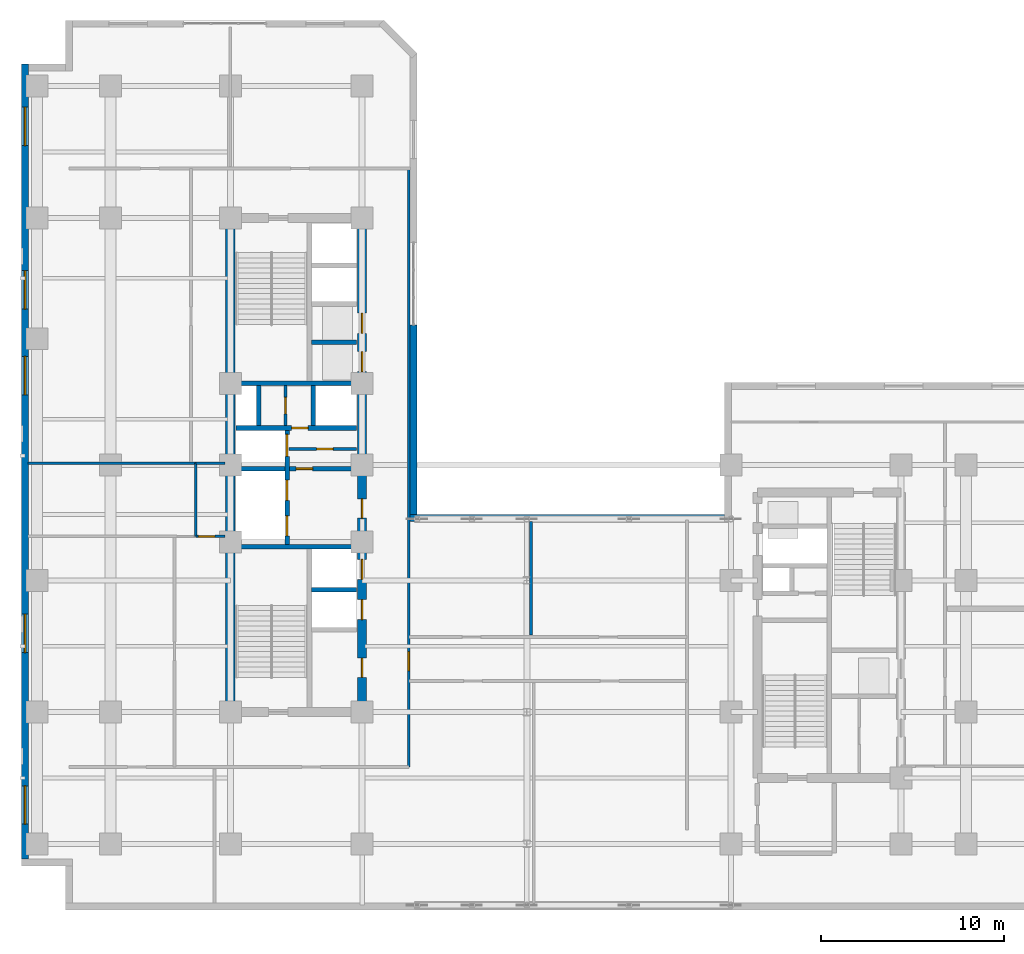
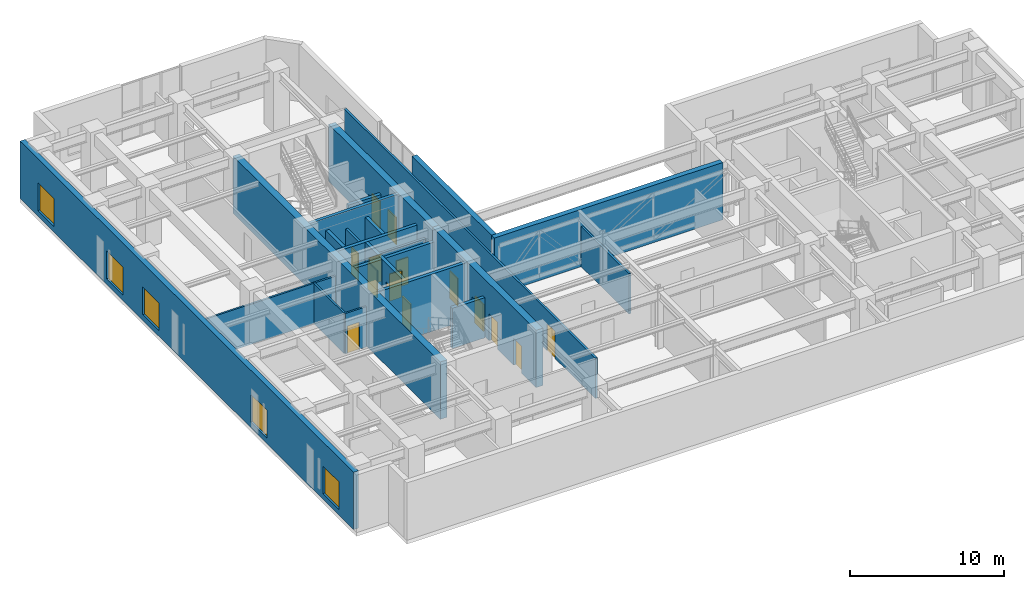
# One storey, part 12 of 18: 23 walls, 15 doors, 5 windows, 20 openings.
"""IFC4 building model written with IfcOpenShell, lengths in metres."""

from ifc_helpers import new_model, entity, si_unit, converted_unit, direction, frame, origin_with_axes, origin_2d_with_axis, place, context, subcontext, project, spatial, polyline, rectangle, outline, extrude, material, layer, layer_set, type_object, element, fill, save


model = new_model("IFC4")

# Units and contexts
model_context = context("Model", 3, precision=1e-05, world=origin_with_axes(), true_north=direction((0.0, 1.0)))
body_context = subcontext(model_context, "Body", "Model", "MODEL_VIEW")
ifc_project = project(units=[si_unit("LENGTHUNIT", "METRE"), si_unit("AREAUNIT", "SQUARE_METRE"), si_unit("VOLUMEUNIT", "CUBIC_METRE"), converted_unit("PLANEANGLEUNIT", "DEGREE", entity("IfcPlaneAngleMeasure", 0.017453292519943295), si_unit("PLANEANGLEUNIT", "RADIAN"), dimensions=[0, 0, 0, 0, 0, 0, 0]), si_unit("MASSUNIT", "GRAM", prefix="KILO"), si_unit("THERMODYNAMICTEMPERATUREUNIT", "KELVIN")], contexts=[model_context])

# Site, building, storey
site_placement = place(None, origin_with_axes())
site = spatial("IfcSite", under=ifc_project, at=site_placement, CompositionType="ELEMENT")
building_placement = place(site_placement, origin_with_axes())
building = spatial("IfcBuilding", under=site, at=building_placement, Name="Varnlund Millrace Tower", CompositionType="ELEMENT")
storey_placement = place(building_placement, frame((0.0, 0.0, 124.2), z_axis=(0.0, 0.0, 1.0), x_axis=(1.0, 0.0, 0.0)))
storey = spatial("IfcBuildingStorey", under=building, at=storey_placement, Name="L30", CompositionType="ELEMENT", Elevation=124.2)

# Wall
ifc_material_1 = material(Name="Concrete C70/85", Category="concrete")
ifc_layer_1 = layer(ifc_material_1, 0.5, Name="Concrete C70/85")
ifc_layer_set_1 = layer_set([ifc_layer_1], Name="Concrete C70/85")
wall_type_1 = type_object("IfcWallType", Name="Type-CoreWall-Shear-500-C70", PredefinedType="SHEAR", material=ifc_layer_set_1)
wall_1_placement = place(storey_placement, frame((11.4, 10.8, 0.0), z_axis=(0.0, 0.0, 1.0), x_axis=(0.0, 1.0, 0.0)))
element("IfcWall", 1, at=wall_1_placement, inside=storey, type_object=wall_type_1, Name="Type-CoreWall-Shear-500-C70", PredefinedType="SHEAR", context=body_context, shape_type="SweptSolid", body=[
    extrude(outline(polyline([(0.0, -0.25), (27.0, -0.25), (27.0, 0.25), (0.0, 0.25), (0.0, -0.25)])), origin_with_axes(), (0.0, 0.0, 1.0), 4.56),
])

# Wall, openings, doors
wall_2_placement = place(storey_placement, frame((18.6, 10.8, 0.0), z_axis=(0.0, 0.0, 1.0), x_axis=(0.0, 1.0, 0.0)))
wall_2 = element("IfcWall", 2, at=wall_2_placement, inside=storey, type_object=wall_type_1, Name="Type-CoreWall-Shear-500-C70", PredefinedType="SHEAR", context=body_context, shape_type="SweptSolid", body=[
    extrude(outline(polyline([(0.0, -0.25), (13.5, -0.25), (13.5, 0.25), (0.0, 0.25), (0.0, -0.25)])), origin_with_axes(), (0.0, 0.0, 1.0), 4.56),
])
opening_1_placement = place(wall_2_placement, frame((5.6, 0.0, 0.0), z_axis=(0.0, 0.0, 1.0), x_axis=(1.0, 0.0, 0.0)))
opening_1 = element("IfcOpeningElement", 3, at=opening_1_placement, cuts=wall_2, Name="Opening L30:LD-ELV-S1A", PredefinedType="OPENING", context=body_context, shape_type="SweptSolid", body=[
    extrude(rectangle(XDim=1.1, YDim=0.52, at=origin_2d_with_axis()), origin_with_axes(), (0.0, 0.0, 1.0), 2.15),
])
opening_2_placement = place(wall_2_placement, frame((7.8, 0.0, 0.0), z_axis=(0.0, 0.0, 1.0), x_axis=(1.0, 0.0, 0.0)))
opening_2 = element("IfcOpeningElement", 4, at=opening_2_placement, cuts=wall_2, Name="Opening L30:LD-ELV-S1B", PredefinedType="OPENING", context=body_context, shape_type="SweptSolid", body=[
    extrude(rectangle(XDim=1.1, YDim=0.52, at=origin_2d_with_axis()), origin_with_axes(), (0.0, 0.0, 1.0), 2.15),
])
opening_3_placement = place(wall_2_placement, frame((11.125, 0.0, 0.0), z_axis=(0.0, 0.0, 1.0), x_axis=(1.0, 0.0, 0.0)))
opening_3 = element("IfcOpeningElement", 5, at=opening_3_placement, cuts=wall_2, Name="Opening L30:DR-FFLOB-A", PredefinedType="OPENING", context=body_context, shape_type="SweptSolid", body=[
    extrude(rectangle(XDim=1.05, YDim=0.52, at=origin_2d_with_axis()), origin_with_axes(), (0.0, 0.0, 1.0), 2.15),
])
opening_4_placement = place(wall_2_placement, frame((2.425, 0.0, 0.0), z_axis=(0.0, 0.0, 1.0), x_axis=(1.0, 0.0, 0.0)))
opening_4 = element("IfcOpeningElement", 6, at=opening_4_placement, cuts=wall_2, Name="Opening L30:DR-RECL-B1", PredefinedType="OPENING", context=body_context, shape_type="SweptSolid", body=[
    extrude(rectangle(XDim=1.05, YDim=0.52, at=origin_2d_with_axis()), origin_with_axes(), (0.0, 0.0, 1.0), 2.15),
])
ifc_material_2 = material(Name="Smoke-barrier hollow steel fire door", Category="steel")
door_type_1 = type_object("IfcDoorType", Name="Type-FireDoor-Lobby-1050X2150", OperationType="NOTDEFINED", PredefinedType="DOOR", material=ifc_material_2)
door_1_placement = place(wall_2_placement, frame((11.125, 0.0, 0.0), z_axis=(0.0, 0.0, 1.0), x_axis=(1.0, 0.0, 0.0)))
door_1 = element("IfcDoor", 7, at=door_1_placement, inside=storey, type_object=door_type_1, Name="Type-FireDoor-Lobby-1050X2150", OperationType="SINGLE_SWING_LEFT", OverallHeight=2.15, OverallWidth=1.05, PredefinedType="DOOR", context=body_context, shape_type="SweptSolid", body=[
    extrude(rectangle(XDim=1.05, YDim=0.09, at=origin_2d_with_axis()), origin_with_axes(), (0.0, 0.0, 1.0), 2.15),
])
fill(opening_3, door_1)
door_2_placement = place(wall_2_placement, frame((2.425, 0.0, 0.0), z_axis=(0.0, 0.0, 1.0), x_axis=(1.0, 0.0, 0.0)))
door_2 = element("IfcDoor", 8, at=door_2_placement, inside=storey, type_object=door_type_1, Name="Type-FireDoor-Lobby-1050X2150", OperationType="SINGLE_SWING_LEFT", OverallHeight=2.15, OverallWidth=1.05, PredefinedType="DOOR", context=body_context, shape_type="SweptSolid", body=[
    extrude(rectangle(XDim=1.05, YDim=0.09, at=origin_2d_with_axis()), origin_with_axes(), (0.0, 0.0, 1.0), 2.15),
])
fill(opening_4, door_2)
ifc_material_3 = material(Name="Stainless and architectural bronze sliding landing door")
door_type_2 = type_object("IfcDoorType", Name="Type-LiftLandingDoor-1100X2150", OperationType="NOTDEFINED", PredefinedType="DOOR", material=ifc_material_3)
door_3_placement = place(wall_2_placement, frame((5.6, 0.0, 0.0), z_axis=(0.0, 0.0, 1.0), x_axis=(1.0, 0.0, 0.0)))
door_3 = element("IfcDoor", 9, at=door_3_placement, inside=storey, type_object=door_type_2, Name="Type-LiftLandingDoor-1100X2150", OperationType="DOUBLE_DOOR_SLIDING", OverallHeight=2.15, OverallWidth=1.1, PredefinedType="DOOR", context=body_context, shape_type="SweptSolid", body=[
    extrude(rectangle(XDim=1.1, YDim=0.09, at=origin_2d_with_axis()), origin_with_axes(), (0.0, 0.0, 1.0), 2.15),
])
fill(opening_1, door_3)
door_4_placement = place(wall_2_placement, frame((7.8, 0.0, 0.0), z_axis=(0.0, 0.0, 1.0), x_axis=(1.0, 0.0, 0.0)))
door_4 = element("IfcDoor", 10, at=door_4_placement, inside=storey, type_object=door_type_2, Name="Type-LiftLandingDoor-1100X2150", OperationType="DOUBLE_DOOR_SLIDING", OverallHeight=2.15, OverallWidth=1.1, PredefinedType="DOOR", context=body_context, shape_type="SweptSolid", body=[
    extrude(rectangle(XDim=1.1, YDim=0.09, at=origin_2d_with_axis()), origin_with_axes(), (0.0, 0.0, 1.0), 2.15),
])
fill(opening_2, door_4)

wall_3_placement = place(storey_placement, frame((18.6, 24.3, 0.0), z_axis=(0.0, 0.0, 1.0), x_axis=(0.0, 1.0, 0.0)))
wall_3 = element("IfcWall", 11, at=wall_3_placement, inside=storey, type_object=wall_type_1, Name="Type-CoreWall-Shear-500-C70", PredefinedType="SHEAR", context=body_context, shape_type="SweptSolid", body=[
    extrude(outline(polyline([(0.0, -0.25), (13.5, -0.25), (13.5, 0.25), (0.0, 0.25), (0.0, -0.25)])), origin_with_axes(), (0.0, 0.0, 1.0), 4.56),
])
opening_5_placement = place(wall_3_placement, frame((5.65, 0.0, 0.0), z_axis=(0.0, 0.0, 1.0), x_axis=(1.0, 0.0, 0.0)))
opening_5 = element("IfcOpeningElement", 12, at=opening_5_placement, cuts=wall_3, Name="Opening L30:LD-ELV-M1", PredefinedType="OPENING", context=body_context, shape_type="SweptSolid", body=[
    extrude(rectangle(XDim=1.1, YDim=0.52, at=origin_2d_with_axis()), origin_with_axes(), (0.0, 0.0, 1.0), 2.15),
])
opening_6_placement = place(wall_3_placement, frame((7.75, 0.0, 0.0), z_axis=(0.0, 0.0, 1.0), x_axis=(1.0, 0.0, 0.0)))
opening_6 = element("IfcOpeningElement", 13, at=opening_6_placement, cuts=wall_3, Name="Opening L30:LD-ELV-M2", PredefinedType="OPENING", context=body_context, shape_type="SweptSolid", body=[
    extrude(rectangle(XDim=1.1, YDim=0.52, at=origin_2d_with_axis()), origin_with_axes(), (0.0, 0.0, 1.0), 2.15),
])
door_5_placement = place(wall_3_placement, frame((5.65, 0.0, 0.0), z_axis=(0.0, 0.0, 1.0), x_axis=(1.0, 0.0, 0.0)))
door_5 = element("IfcDoor", 14, at=door_5_placement, inside=storey, type_object=door_type_2, Name="Type-LiftLandingDoor-1100X2150", OperationType="SLIDING_TO_LEFT", OverallHeight=2.15, OverallWidth=1.1, PredefinedType="DOOR", context=body_context, shape_type="SweptSolid", body=[
    extrude(rectangle(XDim=1.1, YDim=0.09, at=origin_2d_with_axis()), origin_with_axes(), (0.0, 0.0, 1.0), 2.15),
])
fill(opening_5, door_5)
door_6_placement = place(wall_3_placement, frame((7.75, 0.0, 0.0), z_axis=(0.0, 0.0, 1.0), x_axis=(1.0, 0.0, 0.0)))
door_6 = element("IfcDoor", 15, at=door_6_placement, inside=storey, type_object=door_type_2, Name="Type-LiftLandingDoor-1100X2150", OperationType="SLIDING_TO_RIGHT", OverallHeight=2.15, OverallWidth=1.1, PredefinedType="DOOR", context=body_context, shape_type="SweptSolid", body=[
    extrude(rectangle(XDim=1.1, YDim=0.09, at=origin_2d_with_axis()), origin_with_axes(), (0.0, 0.0, 1.0), 2.15),
])
fill(opening_6, door_6)

# Wall, openings, windows
ifc_material_4 = material(Name="Precast concrete C50/60", Category="concrete")
ifc_layer_2 = layer(ifc_material_4, 0.38, Name="Precast concrete C50/60")
ifc_layer_set_2 = layer_set([ifc_layer_2], Name="Precast concrete C50/60")
wall_type_2 = type_object("IfcWallType", Name="Type-ExtWall-Precast-Tube-380", PredefinedType="SOLIDWALL", material=ifc_layer_set_2)
wall_4_placement = place(storey_placement, frame((0.19, 2.78, 0.0), z_axis=(0.0, 0.0, 1.0), x_axis=(0.0, 1.0, 0.0)))
wall_4 = element("IfcWall", 16, at=wall_4_placement, inside=storey, type_object=wall_type_2, Name="Type-ExtWall-Precast-Tube-380", PredefinedType="SOLIDWALL", context=body_context, shape_type="SweptSolid", body=[
    extrude(outline(polyline([(0.0, -0.19), (43.42, -0.19), (43.42, 0.19), (0.0, 0.19), (0.0, -0.19)])), origin_with_axes(), (0.0, 0.0, 1.0), 4.56),
])
opening_7_placement = place(wall_4_placement, frame((2.946, 0.0, 0.45), z_axis=(0.0, 0.0, 1.0), x_axis=(1.0, 0.0, 0.0)))
opening_7 = element("IfcOpeningElement", 17, at=opening_7_placement, cuts=wall_4, Name="Opening L30:WN-06", PredefinedType="OPENING", context=body_context, shape_type="SweptSolid", body=[
    extrude(rectangle(XDim=2.1, YDim=0.4, at=origin_2d_with_axis()), origin_with_axes(), (0.0, 0.0, 1.0), 2.2),
])
opening_8_placement = place(wall_4_placement, frame((12.328, 0.0, 0.45), z_axis=(0.0, 0.0, 1.0), x_axis=(1.0, 0.0, 0.0)))
opening_8 = element("IfcOpeningElement", 18, at=opening_8_placement, cuts=wall_4, Name="Opening L30:WN-07", PredefinedType="OPENING", context=body_context, shape_type="SweptSolid", body=[
    extrude(rectangle(XDim=2.1, YDim=0.4, at=origin_2d_with_axis()), origin_with_axes(), (0.0, 0.0, 1.0), 2.2),
])
opening_9_placement = place(wall_4_placement, frame((26.401, 0.0, 0.45), z_axis=(0.0, 0.0, 1.0), x_axis=(1.0, 0.0, 0.0)))
opening_9 = element("IfcOpeningElement", 19, at=opening_9_placement, cuts=wall_4, Name="Opening L30:WN-08", PredefinedType="OPENING", context=body_context, shape_type="SweptSolid", body=[
    extrude(rectangle(XDim=2.1, YDim=0.4, at=origin_2d_with_axis()), origin_with_axes(), (0.0, 0.0, 1.0), 2.2),
])
opening_10_placement = place(wall_4_placement, frame((31.092, 0.0, 0.45), z_axis=(0.0, 0.0, 1.0), x_axis=(1.0, 0.0, 0.0)))
opening_10 = element("IfcOpeningElement", 20, at=opening_10_placement, cuts=wall_4, Name="Opening L30:WN-09", PredefinedType="OPENING", context=body_context, shape_type="SweptSolid", body=[
    extrude(rectangle(XDim=2.1, YDim=0.4, at=origin_2d_with_axis()), origin_with_axes(), (0.0, 0.0, 1.0), 2.2),
])
opening_11_placement = place(wall_4_placement, frame((40.024, 0.0, 0.45), z_axis=(0.0, 0.0, 1.0), x_axis=(1.0, 0.0, 0.0)))
opening_11 = element("IfcOpeningElement", 21, at=opening_11_placement, cuts=wall_4, Name="Opening L30:WN-10", PredefinedType="OPENING", context=body_context, shape_type="SweptSolid", body=[
    extrude(rectangle(XDim=2.1, YDim=0.4, at=origin_2d_with_axis()), origin_with_axes(), (0.0, 0.0, 1.0), 2.2),
])
ifc_material_5 = material(Name="Argon low-e triple glazing in thermally broken bronze frame", Category="glass")
window_type = type_object("IfcWindowType", Name="Type-Window-Punched-2100X2200", PartitioningType="SINGLE_PANEL", PredefinedType="WINDOW", material=ifc_material_5)
window_1_placement = place(wall_4_placement, frame((2.946, 0.0, 0.45), z_axis=(0.0, 0.0, 1.0), x_axis=(1.0, 0.0, 0.0)))
window_1 = element("IfcWindow", 22, at=window_1_placement, inside=storey, type_object=window_type, Name="Type-Window-Punched-2100X2200", OverallHeight=2.2, OverallWidth=2.1, PredefinedType="WINDOW", context=body_context, shape_type="SweptSolid", body=[
    extrude(rectangle(XDim=2.1, YDim=0.09, at=origin_2d_with_axis()), origin_with_axes(), (0.0, 0.0, 1.0), 2.2),
])
fill(opening_7, window_1)
window_2_placement = place(wall_4_placement, frame((12.328, 0.0, 0.45), z_axis=(0.0, 0.0, 1.0), x_axis=(1.0, 0.0, 0.0)))
window_2 = element("IfcWindow", 23, at=window_2_placement, inside=storey, type_object=window_type, Name="Type-Window-Punched-2100X2200", OverallHeight=2.2, OverallWidth=2.1, PredefinedType="WINDOW", context=body_context, shape_type="SweptSolid", body=[
    extrude(rectangle(XDim=2.1, YDim=0.09, at=origin_2d_with_axis()), origin_with_axes(), (0.0, 0.0, 1.0), 2.2),
])
fill(opening_8, window_2)
window_3_placement = place(wall_4_placement, frame((26.401, 0.0, 0.45), z_axis=(0.0, 0.0, 1.0), x_axis=(1.0, 0.0, 0.0)))
window_3 = element("IfcWindow", 24, at=window_3_placement, inside=storey, type_object=window_type, Name="Type-Window-Punched-2100X2200", OverallHeight=2.2, OverallWidth=2.1, PredefinedType="WINDOW", context=body_context, shape_type="SweptSolid", body=[
    extrude(rectangle(XDim=2.1, YDim=0.09, at=origin_2d_with_axis()), origin_with_axes(), (0.0, 0.0, 1.0), 2.2),
])
fill(opening_9, window_3)
window_4_placement = place(wall_4_placement, frame((31.092, 0.0, 0.45), z_axis=(0.0, 0.0, 1.0), x_axis=(1.0, 0.0, 0.0)))
window_4 = element("IfcWindow", 25, at=window_4_placement, inside=storey, type_object=window_type, Name="Type-Window-Punched-2100X2200", OverallHeight=2.2, OverallWidth=2.1, PredefinedType="WINDOW", context=body_context, shape_type="SweptSolid", body=[
    extrude(rectangle(XDim=2.1, YDim=0.09, at=origin_2d_with_axis()), origin_with_axes(), (0.0, 0.0, 1.0), 2.2),
])
fill(opening_10, window_4)
window_5_placement = place(wall_4_placement, frame((40.024, 0.0, 0.45), z_axis=(0.0, 0.0, 1.0), x_axis=(1.0, 0.0, 0.0)))
window_5 = element("IfcWindow", 26, at=window_5_placement, inside=storey, type_object=window_type, Name="Type-Window-Punched-2100X2200", OverallHeight=2.2, OverallWidth=2.1, PredefinedType="WINDOW", context=body_context, shape_type="SweptSolid", body=[
    extrude(rectangle(XDim=2.1, YDim=0.09, at=origin_2d_with_axis()), origin_with_axes(), (0.0, 0.0, 1.0), 2.2),
])
fill(opening_11, window_5)

# Walls
wall_5_placement = place(storey_placement, frame((21.41, 31.95, 0.0), z_axis=(0.0, 0.0, 1.0), x_axis=(0.0, -1.0, 0.0)))
element("IfcWall", 27, at=wall_5_placement, inside=storey, type_object=wall_type_2, Name="Type-ExtWall-Precast-Tube-380", PredefinedType="SOLIDWALL", context=body_context, shape_type="SweptSolid", body=[
    extrude(outline(polyline([(0.0, -0.19), (10.35, -0.19), (10.35, 0.19), (0.0, 0.19), (0.0, -0.19)])), origin_with_axes(), (0.0, 0.0, 1.0), 4.56),
])
wall_6_placement = place(storey_placement, frame((21.22, 21.41, 0.0), z_axis=(0.0, 0.0, 1.0), x_axis=(1.0, 0.0, 0.0)))
element("IfcWall", 28, at=wall_6_placement, inside=storey, type_object=wall_type_2, Name="Type-ExtWall-Precast-Tube-380", PredefinedType="SOLIDWALL", context=body_context, shape_type="SweptSolid", body=[
    extrude(outline(polyline([(0.0, -0.19), (17.18, -0.19), (17.18, 0.19), (0.0, 0.19), (0.0, -0.19)])), origin_with_axes(), (0.0, 0.0, 1.0), 4.56),
])

# Wall, opening, door
ifc_material_6 = material(Name="Fire-rated gypsum board on cold-formed steel framing", Category="steel")
ifc_layer_3 = layer(ifc_material_6, 0.16, Name="Fire-rated gypsum board on cold-formed steel framing")
ifc_layer_set_3 = layer_set([ifc_layer_3], Name="Fire-rated gypsum board on cold-formed steel framing")
wall_type_3 = type_object("IfcWallType", Name="Type-Partition-Corridor-160", PredefinedType="PARTITIONING", material=ifc_layer_set_3)
wall_7_placement = place(storey_placement, frame((14.62, 25.18, 0.0), z_axis=(0.0, 0.0, 1.0), x_axis=(1.0, 0.0, 0.0)))
wall_7 = element("IfcWall", 29, at=wall_7_placement, inside=storey, type_object=wall_type_3, Name="Type-Partition-Corridor-160", PredefinedType="PARTITIONING", context=body_context, shape_type="SweptSolid", body=[
    extrude(outline(polyline([(0.0, -0.08), (3.68, -0.08), (3.68, 0.08), (0.0, 0.08), (0.0, -0.08)])), origin_with_axes(), (0.0, 0.0, 1.0), 3.2),
])
opening_12_placement = place(wall_7_placement, frame((1.95, 0.0, 0.0), z_axis=(0.0, 0.0, 1.0), x_axis=(1.0, 0.0, 0.0)))
opening_12 = element("IfcOpeningElement", 30, at=opening_12_placement, cuts=wall_7, Name="Opening L30:DR-CA-SUB2", PredefinedType="OPENING", context=body_context, shape_type="SweptSolid", body=[
    extrude(rectangle(XDim=0.9, YDim=0.18, at=origin_2d_with_axis()), origin_with_axes(), (0.0, 0.0, 1.0), 2.15),
])
ifc_material_7 = material(Name="Painted steel riser and closet door", Category="steel")
door_type_3 = type_object("IfcDoorType", Name="Type-IntDoor-Closet-900X2150", OperationType="NOTDEFINED", PredefinedType="DOOR", material=ifc_material_7)
door_7_placement = place(wall_7_placement, frame((1.95, 0.0, 0.0), z_axis=(0.0, 0.0, 1.0), x_axis=(1.0, 0.0, 0.0)))
door_7 = element("IfcDoor", 31, at=door_7_placement, inside=storey, type_object=door_type_3, Name="Type-IntDoor-Closet-900X2150", OperationType="SINGLE_SWING_LEFT", OverallHeight=2.15, OverallWidth=0.9, PredefinedType="DOOR", context=body_context, shape_type="SweptSolid", body=[
    extrude(rectangle(XDim=0.9, YDim=0.09, at=origin_2d_with_axis()), origin_with_axes(), (0.0, 0.0, 1.0), 2.15),
])
fill(opening_12, door_7)

wall_8_placement = place(storey_placement, frame((14.42, 26.45, 0.0), z_axis=(0.0, 0.0, 1.0), x_axis=(0.0, 1.0, 0.0)))
wall_8 = element("IfcWall", 32, at=wall_8_placement, inside=storey, type_object=wall_type_3, Name="Type-Partition-Corridor-160", PredefinedType="PARTITIONING", context=body_context, shape_type="SweptSolid", body=[
    extrude(outline(polyline([(0.0, -0.08), (2.2, -0.08), (2.2, 0.08), (0.0, 0.08), (0.0, -0.08)])), origin_with_axes(), (0.0, 0.0, 1.0), 3.2),
])
opening_13_placement = place(wall_8_placement, frame((1.1, 0.0, 0.0), z_axis=(0.0, 0.0, 1.0), x_axis=(1.0, 0.0, 0.0)))
opening_13 = element("IfcOpeningElement", 33, at=opening_13_placement, cuts=wall_8, Name="Opening L30:DR-CA-EL2", PredefinedType="OPENING", context=body_context, shape_type="SweptSolid", body=[
    extrude(rectangle(XDim=0.9, YDim=0.18, at=origin_2d_with_axis()), origin_with_axes(), (0.0, 0.0, 1.0), 2.15),
])
door_8_placement = place(wall_8_placement, frame((1.1, 0.0, 0.0), z_axis=(0.0, 0.0, 1.0), x_axis=(1.0, 0.0, 0.0)))
door_8 = element("IfcDoor", 34, at=door_8_placement, inside=storey, type_object=door_type_3, Name="Type-IntDoor-Closet-900X2150", OperationType="SINGLE_SWING_LEFT", OverallHeight=2.15, OverallWidth=0.9, PredefinedType="DOOR", context=body_context, shape_type="SweptSolid", body=[
    extrude(rectangle(XDim=0.9, YDim=0.09, at=origin_2d_with_axis()), origin_with_axes(), (0.0, 0.0, 1.0), 2.15),
])
fill(opening_13, door_8)

wall_9_placement = place(storey_placement, frame((21.15, 7.8, 0.0), z_axis=(0.0, 0.0, 1.0), x_axis=(0.0, 1.0, 0.0)))
wall_9 = element("IfcWall", 35, at=wall_9_placement, inside=storey, type_object=wall_type_3, Name="Type-Partition-Corridor-160", PredefinedType="PARTITIONING", context=body_context, shape_type="SweptSolid", body=[
    extrude(outline(polyline([(0.0, -0.08), (32.7, -0.08), (32.7, 0.08), (0.0, 0.08), (0.0, -0.08)])), origin_with_axes(), (0.0, 0.0, 1.0), 3.2),
])
opening_14_placement = place(wall_9_placement, frame((5.775, 0.0, 0.0), z_axis=(0.0, 0.0, 1.0), x_axis=(1.0, 0.0, 0.0)))
opening_14 = element("IfcOpeningElement", 36, at=opening_14_placement, cuts=wall_9, Name="Opening L30:DR-KN-W", PredefinedType="OPENING", context=body_context, shape_type="SweptSolid", body=[
    extrude(rectangle(XDim=1.05, YDim=0.18, at=origin_2d_with_axis()), origin_with_axes(), (0.0, 0.0, 1.0), 2.15),
])
door_9_placement = place(wall_9_placement, frame((5.775, 0.0, 0.0), z_axis=(0.0, 0.0, 1.0), x_axis=(1.0, 0.0, 0.0)))
door_9 = element("IfcDoor", 37, at=door_9_placement, inside=storey, type_object=door_type_1, Name="Type-FireDoor-Lobby-1050X2150", OperationType="SINGLE_SWING_LEFT", OverallHeight=2.15, OverallWidth=1.05, PredefinedType="DOOR", context=body_context, shape_type="SweptSolid", body=[
    extrude(rectangle(XDim=1.05, YDim=0.09, at=origin_2d_with_axis()), origin_with_axes(), (0.0, 0.0, 1.0), 2.15),
])
fill(opening_14, door_9)

# Walls
ifc_material_8 = material(Name="Acoustic STC-50 gypsum board partition", Category="gypsum")
ifc_layer_4 = layer(ifc_material_8, 0.15, Name="Acoustic STC-50 gypsum board partition")
ifc_layer_set_4 = layer_set([ifc_layer_4], Name="Acoustic STC-50 gypsum board partition")
wall_type_4 = type_object("IfcWallType", Name="Type-Partition-Demising-150", PredefinedType="PARTITIONING", material=ifc_layer_set_4)
wall_10_placement = place(storey_placement, frame((27.83, 15.02, 0.0), z_axis=(0.0, 0.0, 1.0), x_axis=(0.0, 1.0, 0.0)))
element("IfcWall", 38, at=wall_10_placement, inside=storey, type_object=wall_type_4, Name="Type-Partition-Demising-150", PredefinedType="PARTITIONING", context=body_context, shape_type="SweptSolid", body=[
    extrude(outline(polyline([(0.0, -0.075), (6.205, -0.075), (6.205, 0.075), (0.0, 0.075), (0.0, -0.075)])), origin_with_axes(), (0.0, 0.0, 1.0), 3.2),
])
ifc_material_9 = material(Name="Moisture-resistant gypsum restroom partition", Category="gypsum")
ifc_layer_5 = layer(ifc_material_9, 0.14, Name="Moisture-resistant gypsum restroom partition")
ifc_layer_set_5 = layer_set([ifc_layer_5], Name="Moisture-resistant gypsum restroom partition")
wall_type_5 = type_object("IfcWallType", Name="Type-Partition-Wet-140", PredefinedType="PARTITIONING", material=ifc_layer_set_5)
wall_11_placement = place(storey_placement, frame((9.52, 20.4, 0.0), z_axis=(0.0, 0.0, 1.0), x_axis=(0.0, 1.0, 0.0)))
element("IfcWall", 39, at=wall_11_placement, inside=storey, type_object=wall_type_5, Name="Type-Partition-Wet-140", PredefinedType="PARTITIONING", context=body_context, shape_type="SweptSolid", body=[
    extrude(outline(polyline([(0.0, -0.07), (4.0, -0.07), (4.0, 0.07), (0.0, 0.07), (0.0, -0.07)])), origin_with_axes(), (0.0, 0.0, 1.0), 3.2),
])

# Wall, opening, door
wall_12_placement = place(storey_placement, frame((9.52, 20.4, 0.0), z_axis=(0.0, 0.0, 1.0), x_axis=(1.0, 0.0, 0.0)))
wall_12 = element("IfcWall", 40, at=wall_12_placement, inside=storey, type_object=wall_type_5, Name="Type-Partition-Wet-140", PredefinedType="PARTITIONING", context=body_context, shape_type="SweptSolid", body=[
    extrude(outline(polyline([(0.0, -0.07), (1.58, -0.07), (1.58, 0.07), (0.0, 0.07), (0.0, -0.07)])), origin_with_axes(), (0.0, 0.0, 1.0), 3.2),
])
opening_15_placement = place(wall_12_placement, frame((0.59, 0.0, 0.0), z_axis=(0.0, 0.0, 1.0), x_axis=(1.0, 0.0, 0.0)))
opening_15 = element("IfcOpeningElement", 41, at=opening_15_placement, cuts=wall_12, Name="Opening L30:DR-CA-WCW", PredefinedType="OPENING", context=body_context, shape_type="SweptSolid", body=[
    extrude(rectangle(XDim=0.9, YDim=0.16, at=origin_2d_with_axis()), origin_with_axes(), (0.0, 0.0, 1.0), 2.15),
])
door_10_placement = place(wall_12_placement, frame((0.59, 0.0, 0.0), z_axis=(0.0, 0.0, 1.0), x_axis=(1.0, 0.0, 0.0)))
door_10 = element("IfcDoor", 42, at=door_10_placement, inside=storey, type_object=door_type_3, Name="Type-IntDoor-Closet-900X2150", OperationType="SINGLE_SWING_LEFT", OverallHeight=2.15, OverallWidth=0.9, PredefinedType="DOOR", context=body_context, shape_type="SweptSolid", body=[
    extrude(rectangle(XDim=0.9, YDim=0.084, at=origin_2d_with_axis()), origin_with_axes(), (0.0, 0.0, 1.0), 2.15),
])
fill(opening_15, door_10)

# Walls
wall_13_placement = place(storey_placement, frame((9.52, 24.4, 0.0), z_axis=(0.0, 0.0, 1.0), x_axis=(1.0, 0.0, 0.0)))
element("IfcWall", 43, at=wall_13_placement, inside=storey, type_object=wall_type_5, Name="Type-Partition-Wet-140", PredefinedType="PARTITIONING", context=body_context, shape_type="SweptSolid", body=[
    extrude(outline(polyline([(0.0, -0.07), (1.58, -0.07), (1.58, 0.07), (0.0, 0.07), (0.0, -0.07)])), origin_with_axes(), (0.0, 0.0, 1.0), 3.2),
])
wall_14_placement = place(storey_placement, frame((0.36, 24.4, 0.0), z_axis=(0.0, 0.0, 1.0), x_axis=(1.0, 0.0, 0.0)))
element("IfcWall", 44, at=wall_14_placement, inside=storey, type_object=wall_type_5, Name="Type-Partition-Wet-140", PredefinedType="PARTITIONING", context=body_context, shape_type="SweptSolid", body=[
    extrude(outline(polyline([(0.0, -0.07), (9.16, -0.07), (9.16, 0.07), (0.0, 0.07), (0.0, -0.07)])), origin_with_axes(), (0.0, 0.0, 1.0), 3.2),
])

# Wall, openings, doors
ifc_material_10 = material(Name="Concrete C60/75", Category="concrete")
ifc_layer_6 = layer(ifc_material_10, 0.25, Name="Concrete C60/75")
ifc_layer_set_6 = layer_set([ifc_layer_6], Name="Concrete C60/75")
wall_type_6 = type_object("IfcWallType", Name="Type-ShaftWall-Fire-250", PredefinedType="SOLIDWALL", material=ifc_layer_set_6)
wall_15_placement = place(storey_placement, frame((14.5, 19.95, 0.0), z_axis=(0.0, 0.0, 1.0), x_axis=(0.0, 1.0, 0.0)))
wall_15 = element("IfcWall", 45, at=wall_15_placement, inside=storey, type_object=wall_type_6, Name="Type-ShaftWall-Fire-250", PredefinedType="SOLIDWALL", context=body_context, shape_type="SweptSolid", body=[
    extrude(outline(polyline([(0.0, -0.125), (6.25, -0.125), (6.25, 0.125), (0.0, 0.125), (0.0, -0.125)])), origin_with_axes(), (0.0, 0.0, 1.0), 3.6),
])
opening_16_placement = place(wall_15_placement, frame((1.025, 0.0, 0.0), z_axis=(0.0, 0.0, 1.0), x_axis=(1.0, 0.0, 0.0)))
opening_16 = element("IfcOpeningElement", 46, at=opening_16_placement, cuts=wall_15, Name="Opening L30:LD-FSAE1", PredefinedType="OPENING", context=body_context, shape_type="SweptSolid", body=[
    extrude(rectangle(XDim=1.1, YDim=0.27, at=origin_2d_with_axis()), origin_with_axes(), (0.0, 0.0, 1.0), 2.15),
])
opening_17_placement = place(wall_15_placement, frame((2.975, 0.0, 0.0), z_axis=(0.0, 0.0, 1.0), x_axis=(1.0, 0.0, 0.0)))
opening_17 = element("IfcOpeningElement", 47, at=opening_17_placement, cuts=wall_15, Name="Opening L30:LD-FSAE2", PredefinedType="OPENING", context=body_context, shape_type="SweptSolid", body=[
    extrude(rectangle(XDim=1.1, YDim=0.27, at=origin_2d_with_axis()), origin_with_axes(), (0.0, 0.0, 1.0), 2.15),
])
opening_18_placement = place(wall_15_placement, frame((5.425, 0.0, 0.0), z_axis=(0.0, 0.0, 1.0), x_axis=(1.0, 0.0, 0.0)))
opening_18 = element("IfcOpeningElement", 48, at=opening_18_placement, cuts=wall_15, Name="Opening L30:LD-SRV1", PredefinedType="OPENING", context=body_context, shape_type="SweptSolid", body=[
    extrude(rectangle(XDim=1.2, YDim=0.27, at=origin_2d_with_axis()), origin_with_axes(), (0.0, 0.0, 1.0), 2.15),
])
door_11_placement = place(wall_15_placement, frame((1.025, 0.0, 0.0), z_axis=(0.0, 0.0, 1.0), x_axis=(1.0, 0.0, 0.0)))
door_11 = element("IfcDoor", 49, at=door_11_placement, inside=storey, type_object=door_type_2, Name="Type-LiftLandingDoor-1100X2150", OperationType="SLIDING_TO_LEFT", OverallHeight=2.15, OverallWidth=1.1, PredefinedType="DOOR", context=body_context, shape_type="SweptSolid", body=[
    extrude(rectangle(XDim=1.1, YDim=0.09, at=origin_2d_with_axis()), origin_with_axes(), (0.0, 0.0, 1.0), 2.15),
])
fill(opening_16, door_11)
door_12_placement = place(wall_15_placement, frame((2.975, 0.0, 0.0), z_axis=(0.0, 0.0, 1.0), x_axis=(1.0, 0.0, 0.0)))
door_12 = element("IfcDoor", 50, at=door_12_placement, inside=storey, type_object=door_type_2, Name="Type-LiftLandingDoor-1100X2150", OperationType="SLIDING_TO_RIGHT", OverallHeight=2.15, OverallWidth=1.1, PredefinedType="DOOR", context=body_context, shape_type="SweptSolid", body=[
    extrude(rectangle(XDim=1.1, YDim=0.09, at=origin_2d_with_axis()), origin_with_axes(), (0.0, 0.0, 1.0), 2.15),
])
fill(opening_17, door_12)
ifc_material_11 = material(Name="Heavy-duty freight sliding landing door")
door_type_4 = type_object("IfcDoorType", Name="Type-LiftLandingDoor-Service-1200X2150", OperationType="NOTDEFINED", PredefinedType="DOOR", material=ifc_material_11)
door_13_placement = place(wall_15_placement, frame((5.425, 0.0, 0.0), z_axis=(0.0, 0.0, 1.0), x_axis=(1.0, 0.0, 0.0)))
door_13 = element("IfcDoor", 51, at=door_13_placement, inside=storey, type_object=door_type_4, Name="Type-LiftLandingDoor-Service-1200X2150", OperationType="DOUBLE_DOOR_SLIDING", OverallHeight=2.15, OverallWidth=1.2, PredefinedType="DOOR", context=body_context, shape_type="SweptSolid", body=[
    extrude(rectangle(XDim=1.2, YDim=0.09, at=origin_2d_with_axis()), origin_with_axes(), (0.0, 0.0, 1.0), 2.15),
])
fill(opening_18, door_13)

# Wall, opening, door
wall_16_placement = place(storey_placement, frame((11.7, 24.1, 0.0), z_axis=(0.0, 0.0, 1.0), x_axis=(1.0, 0.0, 0.0)))
wall_16 = element("IfcWall", 52, at=wall_16_placement, inside=storey, type_object=wall_type_6, Name="Type-ShaftWall-Fire-250", PredefinedType="SOLIDWALL", context=body_context, shape_type="SweptSolid", body=[
    extrude(outline(polyline([(0.0, -0.125), (6.6, -0.125), (6.6, 0.125), (0.0, 0.125), (0.0, -0.125)])), origin_with_axes(), (0.0, 0.0, 1.0), 3.6),
])
opening_19_placement = place(wall_16_placement, frame((3.75, 0.0, 0.0), z_axis=(0.0, 0.0, 1.0), x_axis=(1.0, 0.0, 0.0)))
opening_19 = element("IfcOpeningElement", 53, at=opening_19_placement, cuts=wall_16, Name="Opening L30:DR-CA-SUB1", PredefinedType="OPENING", context=body_context, shape_type="SweptSolid", body=[
    extrude(rectangle(XDim=0.9, YDim=0.27, at=origin_2d_with_axis()), origin_with_axes(), (0.0, 0.0, 1.0), 2.15),
])
ifc_material_12 = material(Name="Fire-rated hollow steel service closet door", Category="steel")
door_type_5 = type_object("IfcDoorType", Name="Type-FireDoor-Closet-900X2150", OperationType="NOTDEFINED", PredefinedType="DOOR", material=ifc_material_12)
door_14_placement = place(wall_16_placement, frame((3.75, 0.0, 0.0), z_axis=(0.0, 0.0, 1.0), x_axis=(1.0, 0.0, 0.0)))
door_14 = element("IfcDoor", 54, at=door_14_placement, inside=storey, type_object=door_type_5, Name="Type-FireDoor-Closet-900X2150", OperationType="SINGLE_SWING_LEFT", OverallHeight=2.15, OverallWidth=0.9, PredefinedType="DOOR", context=body_context, shape_type="SweptSolid", body=[
    extrude(rectangle(XDim=0.9, YDim=0.09, at=origin_2d_with_axis()), origin_with_axes(), (0.0, 0.0, 1.0), 2.15),
])
fill(opening_19, door_14)

wall_17_placement = place(storey_placement, frame((11.7, 26.325, 0.0), z_axis=(0.0, 0.0, 1.0), x_axis=(1.0, 0.0, 0.0)))
wall_17 = element("IfcWall", 55, at=wall_17_placement, inside=storey, type_object=wall_type_6, Name="Type-ShaftWall-Fire-250", PredefinedType="SOLIDWALL", context=body_context, shape_type="SweptSolid", body=[
    extrude(outline(polyline([(0.0, -0.125), (6.6, -0.125), (6.6, 0.125), (0.0, 0.125), (0.0, -0.125)])), origin_with_axes(), (0.0, 0.0, 1.0), 3.6),
])
opening_20_placement = place(wall_17_placement, frame((3.5, 0.0, 0.0), z_axis=(0.0, 0.0, 1.0), x_axis=(1.0, 0.0, 0.0)))
opening_20 = element("IfcOpeningElement", 56, at=opening_20_placement, cuts=wall_17, Name="Opening L30:DR-CA-EL1", PredefinedType="OPENING", context=body_context, shape_type="SweptSolid", body=[
    extrude(rectangle(XDim=0.9, YDim=0.27, at=origin_2d_with_axis()), origin_with_axes(), (0.0, 0.0, 1.0), 2.15),
])
door_15_placement = place(wall_17_placement, frame((3.5, 0.0, 0.0), z_axis=(0.0, 0.0, 1.0), x_axis=(1.0, 0.0, 0.0)))
door_15 = element("IfcDoor", 57, at=door_15_placement, inside=storey, type_object=door_type_5, Name="Type-FireDoor-Closet-900X2150", OperationType="SINGLE_SWING_LEFT", OverallHeight=2.15, OverallWidth=0.9, PredefinedType="DOOR", context=body_context, shape_type="SweptSolid", body=[
    extrude(rectangle(XDim=0.9, YDim=0.09, at=origin_2d_with_axis()), origin_with_axes(), (0.0, 0.0, 1.0), 2.15),
])
fill(opening_20, door_15)

# Walls
for number, where, z_axis, x_axis, name in (
    (58, (12.96, 26.45, 0.0), (0.0, 0.0, 1.0), (0.0, 1.0, 0.0), "Type-ShaftWall-Fire-250"),
    (59, (15.925, 26.45, 0.0), (0.0, 0.0, 1.0), (0.0, 1.0, 0.0), "Type-ShaftWall-Fire-250"),
):
    element("IfcWall", number, at=place(storey_placement, frame(where, z_axis=z_axis, x_axis=x_axis)), inside=storey, type_object=wall_type_6, Name=name, PredefinedType="SOLIDWALL", context=body_context, shape_type="SweptSolid", body=[
        extrude(outline(polyline([(0.0, -0.125), (2.2, -0.125), (2.2, 0.125), (0.0, 0.125), (0.0, -0.125)])), origin_with_axes(), (0.0, 0.0, 1.0), 3.6),
    ])
for number, where, z_axis, x_axis, name in (
    (60, (15.84, 17.49, 0.0), (0.0, 0.0, 1.0), (1.0, 0.0, 0.0), "Type-ShaftWall-Fire-250"),
    (61, (15.84, 31.0, 0.0), (0.0, 0.0, 1.0), (1.0, 0.0, 0.0), "Type-ShaftWall-Fire-250"),
):
    element("IfcWall", number, at=place(storey_placement, frame(where, z_axis=z_axis, x_axis=x_axis)), inside=storey, type_object=wall_type_6, Name=name, PredefinedType="SOLIDWALL", context=body_context, shape_type="SweptSolid", body=[
        extrude(outline(polyline([(0.0, -0.125), (2.46, -0.125), (2.46, 0.125), (0.0, 0.125), (0.0, -0.125)])), origin_with_axes(), (0.0, 0.0, 1.0), 3.2),
    ])
wall_type_7 = type_object("IfcWallType", Name="Type-StairWall-Shear-250", PredefinedType="SHEAR", material=ifc_layer_set_6)
for number, where, z_axis, x_axis, name in (
    (62, (11.65, 19.825, 0.0), (0.0, 0.0, 1.0), (1.0, 0.0, 0.0), "Type-StairWall-Shear-250"),
    (63, (11.65, 28.775, 0.0), (0.0, 0.0, 1.0), (1.0, 0.0, 0.0), "Type-StairWall-Shear-250"),
):
    element("IfcWall", number, at=place(storey_placement, frame(where, z_axis=z_axis, x_axis=x_axis)), inside=storey, type_object=wall_type_7, Name=name, PredefinedType="SHEAR", context=body_context, shape_type="SweptSolid", body=[
        extrude(outline(polyline([(0.0, -0.125), (6.7, -0.125), (6.7, 0.125), (0.0, 0.125), (0.0, -0.125)])), origin_with_axes(), (0.0, 0.0, 1.0), 4.56),
    ])

save(model, "model.ifc")
